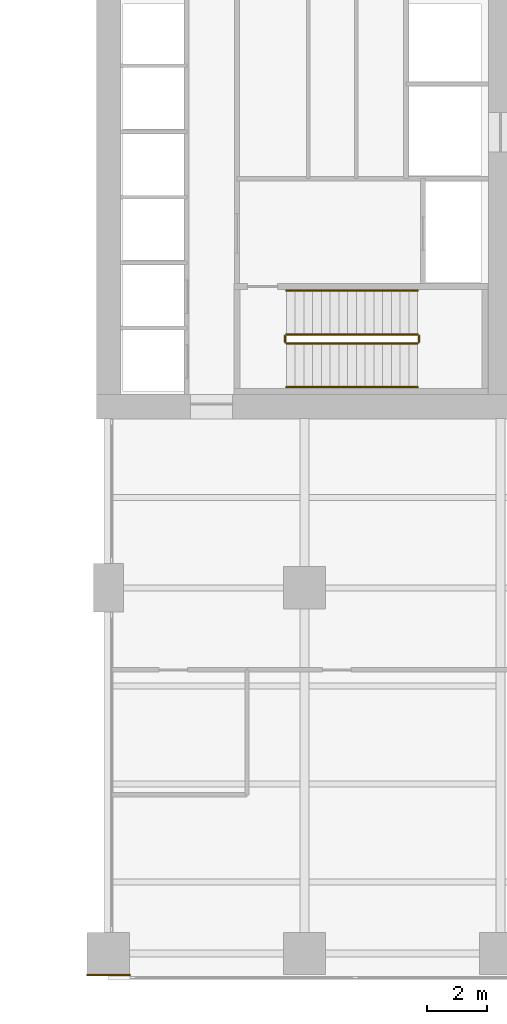
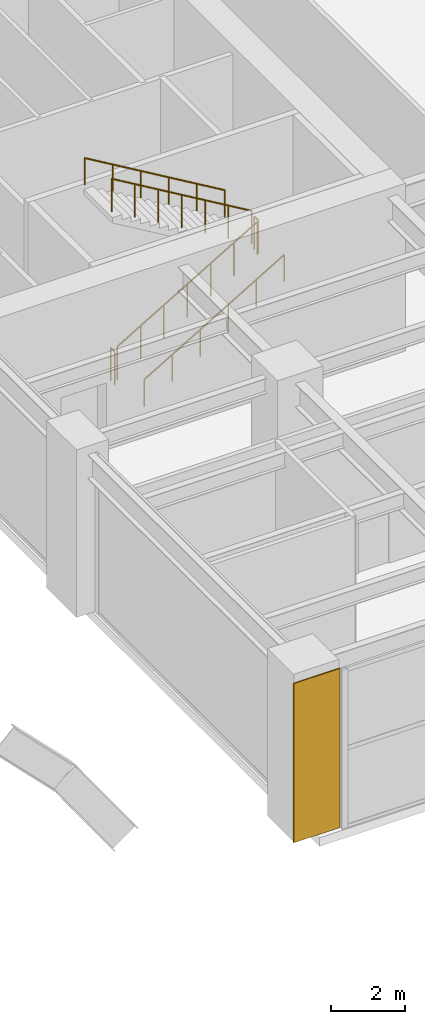
# One storey, part 16 of 18: 6 railings, 1 covering.
"""IFC4 building model written with IfcOpenShell, lengths in metres."""

import ifcopenshell
import ifcopenshell.guid

model = None  # the IFC model being written
_history = None  # IfcOwnerHistory: only IFC2X3 demands one
_inside = {}  # id of a spatial element -> (the spatial element, [elements in it])
_under = {}  # id of a project, library or spatial element -> (it, [spatial elements below it])
_declared = {}  # id of a project -> (the project, [libraries it declares])
_typed = {}  # id of a type object -> (the type object, [elements of that type])
_made_of = {}  # id of a material, layer set ... -> (it, [elements and type objects made of it])


def new_model(schema):
    """Start an empty IFC model of exactly this schema.

    Asked for "IFC4X3", IfcOpenShell would pick the latest addendum, in which some entities
    have other attributes; the version numbers below select the first issue.
    IFC2X3 requires an IfcOwnerHistory on every rooted entity: one is made here for all.
    """
    global model, _history
    if schema == "IFC4X3":
        model = ifcopenshell.file(schema_version=(4, 3, 0, 0))
    else:
        model = ifcopenshell.file(schema=schema)
    _inside.clear()
    _under.clear()
    _declared.clear()
    _typed.clear()
    _made_of.clear()
    _history = None
    if model.schema == "IFC2X3":
        org = make("IfcOrganization", Name="unknown")
        user = make(
            "IfcPersonAndOrganization",
            ThePerson=make("IfcPerson", FamilyName="unknown"),
            TheOrganization=org,
        )
        app = make(
            "IfcApplication",
            ApplicationDeveloper=org,
            Version="unknown",
            ApplicationFullName="unknown",
            ApplicationIdentifier="unknown",
        )
        _history = make(
            "IfcOwnerHistory",
            OwningUser=user,
            OwningApplication=app,
            ChangeAction="ADDED",
            CreationDate=0,
        )
    return model


def make(cls, **values):
    """One entity of the class cls with the attributes given. An attribute that is None is left unset."""
    return model.create_entity(
        cls, **{name: value for name, value in values.items() if value is not None}
    )


def rooted(cls, **values):
    """An entity with a GlobalId (a new one), such as an element, a storey or a relation."""
    return make(cls, GlobalId=ifcopenshell.guid.new(), OwnerHistory=_history, **values)


def si_unit(unit_type, name, prefix=None):
    """IfcSIUnit, for example si_unit("LENGTHUNIT", "METRE", prefix="MILLI")."""
    return make("IfcSIUnit", UnitType=unit_type, Prefix=prefix, Name=name)


def assignment(units):
    """IfcUnitAssignment: the units of a project."""
    return None if units is None else make("IfcUnitAssignment", Units=units)


def point(xyz):
    """IfcCartesianPoint."""
    return None if xyz is None else make("IfcCartesianPoint", Coordinates=xyz)


def direction(xyz):
    """IfcDirection."""
    return None if xyz is None else make("IfcDirection", DirectionRatios=xyz)


def frame(location, z_axis=None, x_axis=None):
    """IfcAxis2Placement3D, a coordinate frame: its origin and axes. An axis left out is left unset."""
    return make(
        "IfcAxis2Placement3D",
        Location=point(location),
        Axis=direction(z_axis),
        RefDirection=direction(x_axis),
    )


def frame_2d(location, x_axis=None):
    """IfcAxis2Placement2D, a coordinate frame in the plane: its origin and x axis."""
    return make(
        "IfcAxis2Placement2D", Location=point(location), RefDirection=direction(x_axis)
    )


def origin():
    """The frame at (0, 0, 0) with its axes left unset."""
    return frame((0.0, 0.0, 0.0))


def origin_2d():
    """The frame at (0, 0) in the plane with its x axis left unset."""
    return frame_2d((0.0, 0.0))


def place(relative_to, where):
    """IfcLocalPlacement: puts the frame where relative to a parent placement (None: the world)."""
    return make(
        "IfcLocalPlacement", PlacementRelTo=relative_to, RelativePlacement=where
    )


def context(
    kind, dimensions, precision=None, world=None, true_north=None, identifier=None
):
    """IfcGeometricRepresentationContext, for example the 3D "Model" context."""
    return make(
        "IfcGeometricRepresentationContext",
        ContextIdentifier=identifier,
        ContextType=kind,
        CoordinateSpaceDimension=dimensions,
        Precision=precision,
        WorldCoordinateSystem=world,
        TrueNorth=true_north,
    )


def subcontext(parent, identifier, kind, view, scale=None):
    """IfcGeometricRepresentationSubContext, for example "Body" below "Model"."""
    return make(
        "IfcGeometricRepresentationSubContext",
        ContextIdentifier=identifier,
        ContextType=kind,
        ParentContext=parent,
        TargetScale=scale,
        TargetView=view,
    )


def project(units=None, contexts=None):
    """IfcProject with its units and contexts."""
    return rooted(
        "IfcProject",
        Name="project",
        RepresentationContexts=contexts,
        UnitsInContext=assignment(units),
    )


def spatial(cls, under=None, at=None, **own):
    """A site, building, storey or space (cls), placed at a placement, below another one or the project."""
    s = rooted(cls, ObjectPlacement=at, **own)
    if under is not None:
        _under.setdefault(under.id(), (under, []))[1].append(s)
    return s


def profile(cls, at=None, kind="AREA", **sizes):
    """A parametric profile (cls). Its sizes go by their IFC names, for example OverallWidth=200.0."""
    return make(cls, ProfileType=kind, Position=at, **sizes)


def rectangle(**sizes):
    """IfcRectangleProfileDef."""
    return profile("IfcRectangleProfileDef", **sizes)


def circle(**sizes):
    """IfcCircleProfileDef."""
    return profile("IfcCircleProfileDef", **sizes)


def extrude(swept, where, along, depth):
    """IfcExtrudedAreaSolid: the profile swept, set in the frame where, extruded along a direction by depth."""
    return make(
        "IfcExtrudedAreaSolid",
        SweptArea=swept,
        Position=where,
        ExtrudedDirection=direction(along),
        Depth=depth,
    )


def shape(context_of_items, identifier, shape_type, items):
    """IfcShapeRepresentation: the items that make up one representation, for example the "Body"."""
    return make(
        "IfcShapeRepresentation",
        ContextOfItems=context_of_items,
        RepresentationIdentifier=identifier,
        RepresentationType=shape_type,
        Items=items,
    )


def material(Name=None, Category=None):
    """IfcMaterial."""
    return make("IfcMaterial", Name=Name, Category=Category)


def layer(
    of_material, thickness, ventilated=None, Name=None, Category=None, Priority=None
):
    """IfcMaterialLayer: one layer of a wall or slab, of a material (None: an air gap)."""
    return make(
        "IfcMaterialLayer",
        Material=of_material,
        LayerThickness=thickness,
        IsVentilated=ventilated,
        Name=Name,
        Category=Category,
        Priority=Priority,
    )


def layer_set(layers, Name=None):
    """IfcMaterialLayerSet."""
    return make("IfcMaterialLayerSet", MaterialLayers=layers, LayerSetName=Name)


def made_of(thing, what):
    """Note that an element or type object is made of a material, layer set ...; save() writes the relation."""
    if what is not None:
        _made_of.setdefault(what.id(), (what, []))[1].append(thing)
    return thing


def type_object(cls, material=None, **own):
    """A type object (cls), such as IfcWallType, which elements share."""
    return made_of(rooted(cls, **own), material)


def element(
    cls,
    number,
    at=None,
    inside=None,
    cuts=None,
    type_object=None,
    material=None,
    context=None,
    identifier="Body",
    shape_type=None,
    held_by="IfcProductDefinitionShape",
    body=None,
    shapes=None,
    **own,
):
    """One element of the class cls, such as IfcWall. Its Tag is "e" and its number.

    at: its placement. inside: the storey or other place that contains it. cuts: it is an
    opening in that element (IfcRelVoidsElement). A single representation is given by context,
    identifier, shape_type and body (its items); several are given by shapes. held_by: the class
    of the entity that holds the representations. save() writes the other relations.
    """
    e = rooted(cls, Tag="e%d" % number, ObjectPlacement=at, **own)
    if body is not None:
        shapes = [shape(context, identifier, shape_type, body)]
    if shapes is not None:
        e.Representation = make(held_by, Representations=shapes)
    if inside is not None:
        _inside.setdefault(inside.id(), (inside, []))[1].append(e)
    if cuts is not None:
        rooted(
            "IfcRelVoidsElement", RelatingBuildingElement=cuts, RelatedOpeningElement=e
        )
    if type_object is not None:
        _typed.setdefault(type_object.id(), (type_object, []))[1].append(e)
    return made_of(e, material)


def aggregate(whole, parts):
    """IfcRelAggregates: a whole, such as a stair, and the parts it consists of."""
    return rooted("IfcRelAggregates", RelatingObject=whole, RelatedObjects=parts)


def save(model, path):
    """Write the relations noted so far, then the file.

    IfcRelAggregates (storeys below a building ...), IfcRelContainedInSpatialStructure (elements
    in a storey), IfcRelDefinesByType, IfcRelAssociatesMaterial and IfcRelDeclares: one each for
    every whole, place, type object, material and project.
    """
    for whole, parts in _under.values():
        aggregate(whole, parts)
    for where, things in _inside.values():
        rooted(
            "IfcRelContainedInSpatialStructure",
            RelatedElements=things,
            RelatingStructure=where,
        )
    for kind, things in _typed.values():
        rooted("IfcRelDefinesByType", RelatedObjects=things, RelatingType=kind)
    for what, things in _made_of.values():
        rooted("IfcRelAssociatesMaterial", RelatedObjects=things, RelatingMaterial=what)
    for by, libraries in _declared.values():
        rooted("IfcRelDeclares", RelatingContext=by, RelatedDefinitions=libraries)
    model.write(path)


model = new_model("IFC4")

# Units and contexts
model_context = context("Model", 3, precision=1e-05, world=origin(), true_north=direction((0.0, 1.0)))
body_context = subcontext(model_context, "Body", "Model", "MODEL_VIEW")
ifc_project = project(units=[si_unit("LENGTHUNIT", "METRE"), si_unit("AREAUNIT", "SQUARE_METRE"), si_unit("VOLUMEUNIT", "CUBIC_METRE"), si_unit("PLANEANGLEUNIT", "RADIAN"), si_unit("MASSUNIT", "GRAM", prefix="KILO")], contexts=[model_context])

# Site, building, storey
site_placement = place(None, origin())
site = spatial("IfcSite", under=ifc_project, at=site_placement, CompositionType="ELEMENT")
building_placement = place(site_placement, origin())
building = spatial("IfcBuilding", under=site, at=building_placement, Name="Putna Gate Headquarters", CompositionType="ELEMENT")
storey_placement = place(building_placement, frame((0.0, 0.0, 11.5)))
storey = spatial("IfcBuildingStorey", under=building, at=storey_placement, Name="L02", CompositionType="ELEMENT", Elevation=11.5)

# Covering
ifc_material_1 = material(Name="Anodised architectural bronze rainscreen cladding", Category="aluminium")
ifc_layer = layer(ifc_material_1, 0.0400390625)
ifc_layer_set = layer_set([ifc_layer], Name="Anodised architectural bronze rainscreen cladding")
covering_type = type_object("IfcCoveringType", Name="COV-BRONZE-CLADDING", PredefinedType="CLADDING", material=ifc_layer_set)
covering_placement = place(storey_placement, frame((52.0, 0.1650390625, 0.0), z_axis=(0.0, 0.0, 1.0), x_axis=(1.0, 0.0, 0.0)))
element("IfcCovering", 1, at=covering_placement, inside=storey, type_object=covering_type, Name="L02 Giant Arch Pier Bronze Cladding ES", PredefinedType="CLADDING", context=body_context, shape_type="SweptSolid", body=[
    extrude(rectangle(XDim=1.43994140625, YDim=0.0400390625, at=origin_2d()), origin(), (0.0, 0.0, 1.0), 5.219970703125),
])

# Railings
ifc_material_2 = material(Name="Powder-coated steel stair guardrail", Category="steel")
railing_type_1 = type_object("IfcRailingType", Name="RAIL-STAIR-GUARD-1100", PredefinedType="GUARDRAIL", material=ifc_material_2)
railing_1_placement = place(storey_placement, frame((57.89990234375, 21.10009765625, 0.171875)))
element("IfcRailing", 2, at=railing_1_placement, inside=storey, type_object=railing_type_1, Name="L02 ST2 stair guard 1", PredefinedType="GUARDRAIL", context=body_context, shape_type="SweptSolid", body=[
    extrude(circle(Radius=0.02392578125, at=origin_2d()), frame((0.0, 0.0, 1.076171875), z_axis=(0.860266436404, 0.0, 0.509844739501), x_axis=(0.0, 1.0, 0.0)), (0.0, 0.0, 1.0), 5.056640625),
    extrude(circle(Radius=0.02099609375, at=origin_2d()), origin(), (0.0, 0.0, 1.0), 1.052001953125),
    extrude(circle(Radius=0.02099609375, at=origin_2d()), frame((0.72509765625, 0.0, 0.4296875)), (0.0, 0.0, 1.0), 1.052001953125),
    extrude(circle(Radius=0.02099609375, at=origin_2d()), frame((1.449951171875, 0.0, 0.859375)), (0.0, 0.0, 1.0), 1.052001953125),
    extrude(circle(Radius=0.02099609375, at=origin_2d()), frame((2.175048828125, 0.0, 1.2890625)), (0.0, 0.0, 1.0), 1.052001953125),
    extrude(circle(Radius=0.02099609375, at=origin_2d()), frame((2.900146484375, 0.0, 1.71875)), (0.0, 0.0, 1.0), 1.052001953125),
    extrude(circle(Radius=0.02099609375, at=origin_2d()), frame((3.625, 0.0, 2.1484375)), (0.0, 0.0, 1.0), 1.052001953125),
    extrude(circle(Radius=0.02099609375, at=origin_2d()), frame((4.35009765625, 0.0, 2.578125)), (0.0, 0.0, 1.0), 1.052001953125),
])
railing_2_placement = place(storey_placement, frame((62.300048828125, 21.14990234375, 2.75)))
element("IfcRailing", 3, at=railing_2_placement, inside=storey, type_object=railing_type_1, Name="L02 ST2 stair guard 2", PredefinedType="GUARDRAIL", context=body_context, shape_type="SweptSolid", body=[
    extrude(circle(Radius=0.02392578125, at=origin_2d()), frame((0.0, 0.0, 1.076171875), z_axis=(0.0, 1.0, 0.0), x_axis=(-1.0, 0.0, 0.0)), (0.0, 0.0, 1.0), 0.2001953125),
    extrude(circle(Radius=0.02099609375, at=origin_2d()), origin(), (0.0, 0.0, 1.0), 1.052001953125),
    extrude(circle(Radius=0.02099609375, at=origin_2d()), frame((0.0, 0.2001953125, 0.0)), (0.0, 0.0, 1.0), 1.052001953125),
])
railing_3_placement = place(storey_placement, frame((62.25, 21.39990234375, 2.921875)))
element("IfcRailing", 4, at=railing_3_placement, inside=storey, type_object=railing_type_1, Name="L02 ST2 stair guard 3", PredefinedType="GUARDRAIL", context=body_context, shape_type="SweptSolid", body=[
    extrude(circle(Radius=0.02392578125, at=origin_2d()), frame((0.0, 0.0, 1.076171875), z_axis=(-0.860266436404, 0.0, 0.509844739501), x_axis=(0.0, -1.0, 0.0)), (0.0, 0.0, 1.0), 5.056640625),
    extrude(circle(Radius=0.02099609375, at=origin_2d()), origin(), (0.0, 0.0, 1.0), 1.052001953125),
    extrude(circle(Radius=0.02099609375, at=origin_2d()), frame((-0.72509765625, 0.0, 0.4296875)), (0.0, 0.0, 1.0), 1.052001953125),
    extrude(circle(Radius=0.02099609375, at=origin_2d()), frame((-1.449951171875, 0.0, 0.859375)), (0.0, 0.0, 1.0), 1.052001953125),
    extrude(circle(Radius=0.02099609375, at=origin_2d()), frame((-2.175048828125, 0.0, 1.2890625)), (0.0, 0.0, 1.0), 1.052001953125),
    extrude(circle(Radius=0.02099609375, at=origin_2d()), frame((-2.900146484375, 0.0, 1.71875)), (0.0, 0.0, 1.0), 1.052001953125),
    extrude(circle(Radius=0.02099609375, at=origin_2d()), frame((-3.625, 0.0, 2.1484375)), (0.0, 0.0, 1.0), 1.052001953125),
    extrude(circle(Radius=0.02099609375, at=origin_2d()), frame((-4.35009765625, 0.0, 2.578125)), (0.0, 0.0, 1.0), 1.052001953125),
])
railing_4_placement = place(storey_placement, frame((57.85009765625, 21.14990234375, 0.0)))
element("IfcRailing", 5, at=railing_4_placement, inside=storey, type_object=railing_type_1, Name="L02 ST2 stair guard 4", PredefinedType="GUARDRAIL", context=body_context, shape_type="SweptSolid", body=[
    extrude(circle(Radius=0.02392578125, at=origin_2d()), frame((0.0, 0.0, 1.076171875), z_axis=(0.0, 1.0, 0.0), x_axis=(-1.0, 0.0, 0.0)), (0.0, 0.0, 1.0), 0.2001953125),
    extrude(circle(Radius=0.02099609375, at=origin_2d()), origin(), (0.0, 0.0, 1.0), 1.052001953125),
    extrude(circle(Radius=0.02099609375, at=origin_2d()), frame((0.0, 0.2001953125, 0.0)), (0.0, 0.0, 1.0), 1.052001953125),
])
ifc_material_3 = material(Name="Brushed stainless steel handrail", Category="steel")
railing_type_2 = type_object("IfcRailingType", Name="RAIL-STAIR-HAND-900", PredefinedType="HANDRAIL", material=ifc_material_3)
railing_5_placement = place(storey_placement, frame((57.89990234375, 19.64990234375, 0.171875)))
element("IfcRailing", 6, at=railing_5_placement, inside=storey, type_object=railing_type_2, Name="L02 ST2 stair handrail 1", PredefinedType="HANDRAIL", context=body_context, shape_type="SweptSolid", body=[
    extrude(circle(Radius=0.02392578125, at=origin_2d()), frame((0.0, 0.0, 0.8759765625), z_axis=(0.860266436404, 0.0, 0.509844739501), x_axis=(0.0, 1.0, 0.0)), (0.0, 0.0, 1.0), 5.056640625),
    extrude(circle(Radius=0.02099609375, at=origin_2d()), origin(), (0.0, 0.0, 1.0), 0.851806640625),
    extrude(circle(Radius=0.02099609375, at=origin_2d()), frame((0.8701171875, 0.0, 0.515625)), (0.0, 0.0, 1.0), 0.851806640625),
    extrude(circle(Radius=0.02099609375, at=origin_2d()), frame((1.739990234375, 0.0, 1.03125)), (0.0, 0.0, 1.0), 0.851806640625),
    extrude(circle(Radius=0.02099609375, at=origin_2d()), frame((2.610107421875, 0.0, 1.546875)), (0.0, 0.0, 1.0), 0.851806640625),
    extrude(circle(Radius=0.02099609375, at=origin_2d()), frame((3.47998046875, 0.0, 2.0625)), (0.0, 0.0, 1.0), 0.851806640625),
    extrude(circle(Radius=0.02099609375, at=origin_2d()), frame((4.35009765625, 0.0, 2.578125)), (0.0, 0.0, 1.0), 0.851806640625),
])
railing_6_placement = place(storey_placement, frame((62.25, 22.85009765625, 2.921875)))
element("IfcRailing", 7, at=railing_6_placement, inside=storey, type_object=railing_type_2, Name="L02 ST2 stair handrail 2", PredefinedType="HANDRAIL", context=body_context, shape_type="SweptSolid", body=[
    extrude(circle(Radius=0.02392578125, at=origin_2d()), frame((0.0, 0.0, 0.8759765625), z_axis=(-0.860266436404, 0.0, 0.509844739501), x_axis=(0.0, -1.0, 0.0)), (0.0, 0.0, 1.0), 5.056640625),
    extrude(circle(Radius=0.02099609375, at=origin_2d()), origin(), (0.0, 0.0, 1.0), 0.851806640625),
    extrude(circle(Radius=0.02099609375, at=origin_2d()), frame((-0.8701171875, 0.0, 0.515625)), (0.0, 0.0, 1.0), 0.851806640625),
    extrude(circle(Radius=0.02099609375, at=origin_2d()), frame((-1.739990234375, 0.0, 1.03125)), (0.0, 0.0, 1.0), 0.851806640625),
    extrude(circle(Radius=0.02099609375, at=origin_2d()), frame((-2.610107421875, 0.0, 1.546875)), (0.0, 0.0, 1.0), 0.851806640625),
    extrude(circle(Radius=0.02099609375, at=origin_2d()), frame((-3.47998046875, 0.0, 2.0625)), (0.0, 0.0, 1.0), 0.851806640625),
    extrude(circle(Radius=0.02099609375, at=origin_2d()), frame((-4.35009765625, 0.0, 2.578125)), (0.0, 0.0, 1.0), 0.851806640625),
])

save(model, "model.ifc")
